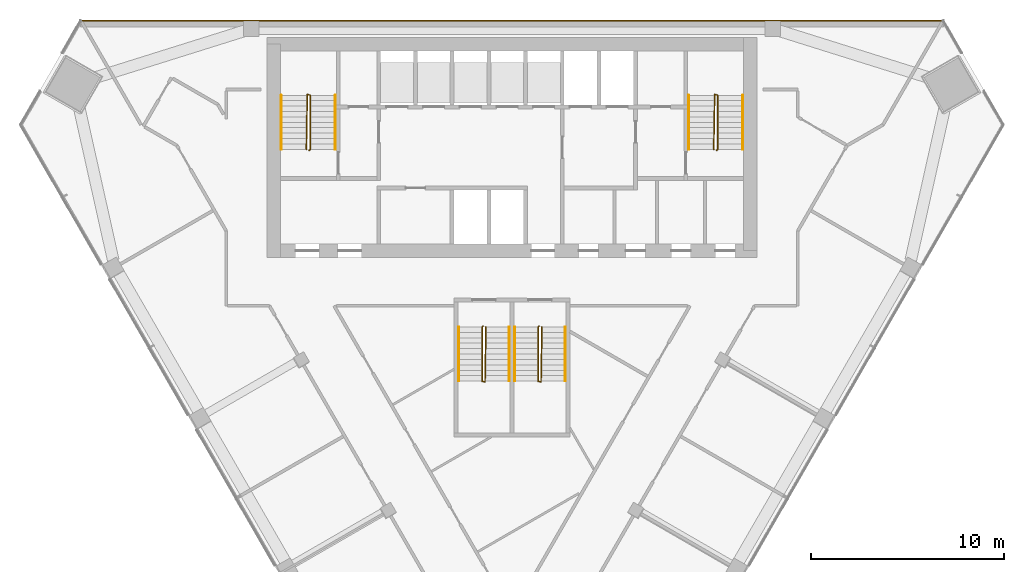
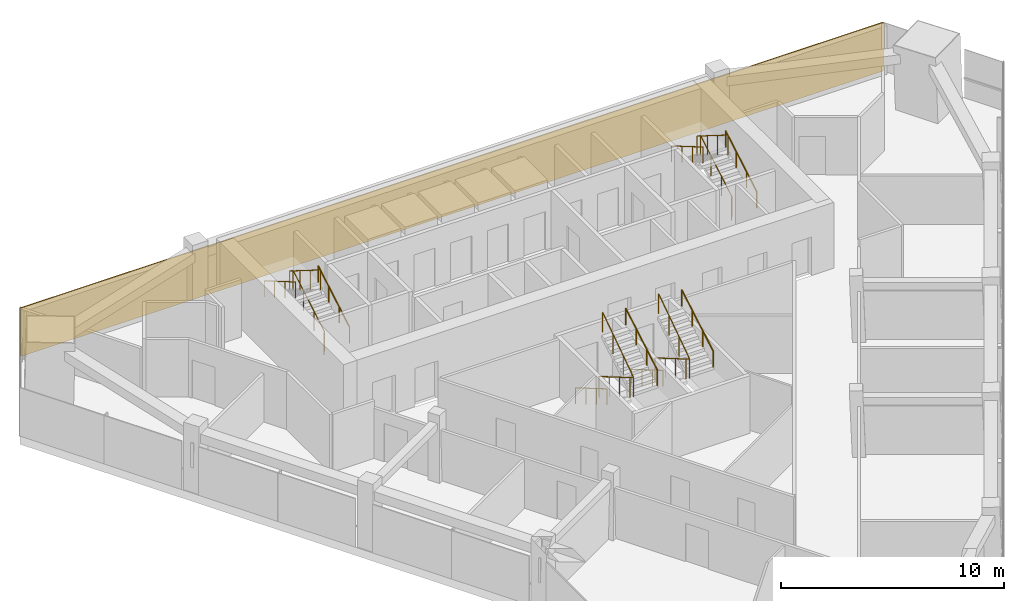
# One storey, part 12 of 13: 12 railings, 1 covering.
"""IFC4 building model written with IfcOpenShell, lengths in metres."""

import ifcopenshell
import ifcopenshell.guid

model = None  # the IFC model being written
_history = None  # IfcOwnerHistory: only IFC2X3 demands one
_inside = {}  # id of a spatial element -> (the spatial element, [elements in it])
_under = {}  # id of a project, library or spatial element -> (it, [spatial elements below it])
_declared = {}  # id of a project -> (the project, [libraries it declares])
_typed = {}  # id of a type object -> (the type object, [elements of that type])
_made_of = {}  # id of a material, layer set ... -> (it, [elements and type objects made of it])


def new_model(schema):
    """Start an empty IFC model of exactly this schema.

    Asked for "IFC4X3", IfcOpenShell would pick the latest addendum, in which some entities
    have other attributes; the version numbers below select the first issue.
    IFC2X3 requires an IfcOwnerHistory on every rooted entity: one is made here for all.
    """
    global model, _history
    if schema == "IFC4X3":
        model = ifcopenshell.file(schema_version=(4, 3, 0, 0))
    else:
        model = ifcopenshell.file(schema=schema)
    _inside.clear()
    _under.clear()
    _declared.clear()
    _typed.clear()
    _made_of.clear()
    _history = None
    if model.schema == "IFC2X3":
        org = make("IfcOrganization", Name="unknown")
        user = make(
            "IfcPersonAndOrganization",
            ThePerson=make("IfcPerson", FamilyName="unknown"),
            TheOrganization=org,
        )
        app = make(
            "IfcApplication",
            ApplicationDeveloper=org,
            Version="unknown",
            ApplicationFullName="unknown",
            ApplicationIdentifier="unknown",
        )
        _history = make(
            "IfcOwnerHistory",
            OwningUser=user,
            OwningApplication=app,
            ChangeAction="ADDED",
            CreationDate=0,
        )
    return model


def make(cls, **values):
    """One entity of the class cls with the attributes given. An attribute that is None is left unset."""
    return model.create_entity(
        cls, **{name: value for name, value in values.items() if value is not None}
    )


def rooted(cls, **values):
    """An entity with a GlobalId (a new one), such as an element, a storey or a relation."""
    return make(cls, GlobalId=ifcopenshell.guid.new(), OwnerHistory=_history, **values)


def si_unit(unit_type, name, prefix=None):
    """IfcSIUnit, for example si_unit("LENGTHUNIT", "METRE", prefix="MILLI")."""
    return make("IfcSIUnit", UnitType=unit_type, Prefix=prefix, Name=name)


def assignment(units):
    """IfcUnitAssignment: the units of a project."""
    return None if units is None else make("IfcUnitAssignment", Units=units)


def point(xyz):
    """IfcCartesianPoint."""
    return None if xyz is None else make("IfcCartesianPoint", Coordinates=xyz)


def direction(xyz):
    """IfcDirection."""
    return None if xyz is None else make("IfcDirection", DirectionRatios=xyz)


def frame(location, z_axis=None, x_axis=None):
    """IfcAxis2Placement3D, a coordinate frame: its origin and axes. An axis left out is left unset."""
    return make(
        "IfcAxis2Placement3D",
        Location=point(location),
        Axis=direction(z_axis),
        RefDirection=direction(x_axis),
    )


def frame_2d(location, x_axis=None):
    """IfcAxis2Placement2D, a coordinate frame in the plane: its origin and x axis."""
    return make(
        "IfcAxis2Placement2D", Location=point(location), RefDirection=direction(x_axis)
    )


def origin():
    """The frame at (0, 0, 0) with its axes left unset."""
    return frame((0.0, 0.0, 0.0))


def origin_2d():
    """The frame at (0, 0) in the plane with its x axis left unset."""
    return frame_2d((0.0, 0.0))


def place(relative_to, where):
    """IfcLocalPlacement: puts the frame where relative to a parent placement (None: the world)."""
    return make(
        "IfcLocalPlacement", PlacementRelTo=relative_to, RelativePlacement=where
    )


def context(
    kind, dimensions, precision=None, world=None, true_north=None, identifier=None
):
    """IfcGeometricRepresentationContext, for example the 3D "Model" context."""
    return make(
        "IfcGeometricRepresentationContext",
        ContextIdentifier=identifier,
        ContextType=kind,
        CoordinateSpaceDimension=dimensions,
        Precision=precision,
        WorldCoordinateSystem=world,
        TrueNorth=true_north,
    )


def subcontext(parent, identifier, kind, view, scale=None):
    """IfcGeometricRepresentationSubContext, for example "Body" below "Model"."""
    return make(
        "IfcGeometricRepresentationSubContext",
        ContextIdentifier=identifier,
        ContextType=kind,
        ParentContext=parent,
        TargetScale=scale,
        TargetView=view,
    )


def project(units=None, contexts=None):
    """IfcProject with its units and contexts."""
    return rooted(
        "IfcProject",
        Name="project",
        RepresentationContexts=contexts,
        UnitsInContext=assignment(units),
    )


def spatial(cls, under=None, at=None, **own):
    """A site, building, storey or space (cls), placed at a placement, below another one or the project."""
    s = rooted(cls, ObjectPlacement=at, **own)
    if under is not None:
        _under.setdefault(under.id(), (under, []))[1].append(s)
    return s


def profile(cls, at=None, kind="AREA", **sizes):
    """A parametric profile (cls). Its sizes go by their IFC names, for example OverallWidth=200.0."""
    return make(cls, ProfileType=kind, Position=at, **sizes)


def rectangle(**sizes):
    """IfcRectangleProfileDef."""
    return profile("IfcRectangleProfileDef", **sizes)


def circle(**sizes):
    """IfcCircleProfileDef."""
    return profile("IfcCircleProfileDef", **sizes)


def extrude(swept, where, along, depth):
    """IfcExtrudedAreaSolid: the profile swept, set in the frame where, extruded along a direction by depth."""
    return make(
        "IfcExtrudedAreaSolid",
        SweptArea=swept,
        Position=where,
        ExtrudedDirection=direction(along),
        Depth=depth,
    )


def shape(context_of_items, identifier, shape_type, items):
    """IfcShapeRepresentation: the items that make up one representation, for example the "Body"."""
    return make(
        "IfcShapeRepresentation",
        ContextOfItems=context_of_items,
        RepresentationIdentifier=identifier,
        RepresentationType=shape_type,
        Items=items,
    )


def material(Name=None, Category=None):
    """IfcMaterial."""
    return make("IfcMaterial", Name=Name, Category=Category)


def layer(
    of_material, thickness, ventilated=None, Name=None, Category=None, Priority=None
):
    """IfcMaterialLayer: one layer of a wall or slab, of a material (None: an air gap)."""
    return make(
        "IfcMaterialLayer",
        Material=of_material,
        LayerThickness=thickness,
        IsVentilated=ventilated,
        Name=Name,
        Category=Category,
        Priority=Priority,
    )


def layer_set(layers, Name=None):
    """IfcMaterialLayerSet."""
    return make("IfcMaterialLayerSet", MaterialLayers=layers, LayerSetName=Name)


def made_of(thing, what):
    """Note that an element or type object is made of a material, layer set ...; save() writes the relation."""
    if what is not None:
        _made_of.setdefault(what.id(), (what, []))[1].append(thing)
    return thing


def type_object(cls, material=None, **own):
    """A type object (cls), such as IfcWallType, which elements share."""
    return made_of(rooted(cls, **own), material)


def element(
    cls,
    number,
    at=None,
    inside=None,
    cuts=None,
    type_object=None,
    material=None,
    context=None,
    identifier="Body",
    shape_type=None,
    held_by="IfcProductDefinitionShape",
    body=None,
    shapes=None,
    **own,
):
    """One element of the class cls, such as IfcWall. Its Tag is "e" and its number.

    at: its placement. inside: the storey or other place that contains it. cuts: it is an
    opening in that element (IfcRelVoidsElement). A single representation is given by context,
    identifier, shape_type and body (its items); several are given by shapes. held_by: the class
    of the entity that holds the representations. save() writes the other relations.
    """
    e = rooted(cls, Tag="e%d" % number, ObjectPlacement=at, **own)
    if body is not None:
        shapes = [shape(context, identifier, shape_type, body)]
    if shapes is not None:
        e.Representation = make(held_by, Representations=shapes)
    if inside is not None:
        _inside.setdefault(inside.id(), (inside, []))[1].append(e)
    if cuts is not None:
        rooted(
            "IfcRelVoidsElement", RelatingBuildingElement=cuts, RelatedOpeningElement=e
        )
    if type_object is not None:
        _typed.setdefault(type_object.id(), (type_object, []))[1].append(e)
    return made_of(e, material)


def aggregate(whole, parts):
    """IfcRelAggregates: a whole, such as a stair, and the parts it consists of."""
    return rooted("IfcRelAggregates", RelatingObject=whole, RelatedObjects=parts)


def save(model, path):
    """Write the relations noted so far, then the file.

    IfcRelAggregates (storeys below a building ...), IfcRelContainedInSpatialStructure (elements
    in a storey), IfcRelDefinesByType, IfcRelAssociatesMaterial and IfcRelDeclares: one each for
    every whole, place, type object, material and project.
    """
    for whole, parts in _under.values():
        aggregate(whole, parts)
    for where, things in _inside.values():
        rooted(
            "IfcRelContainedInSpatialStructure",
            RelatedElements=things,
            RelatingStructure=where,
        )
    for kind, things in _typed.values():
        rooted("IfcRelDefinesByType", RelatedObjects=things, RelatingType=kind)
    for what, things in _made_of.values():
        rooted("IfcRelAssociatesMaterial", RelatedObjects=things, RelatingMaterial=what)
    for by, libraries in _declared.values():
        rooted("IfcRelDeclares", RelatingContext=by, RelatedDefinitions=libraries)
    model.write(path)


model = new_model("IFC4")

# Units and contexts
model_context = context("Model", 3, precision=1e-05, world=origin(), true_north=direction((0.0, 1.0)))
body_context = subcontext(model_context, "Body", "Model", "MODEL_VIEW")
ifc_project = project(units=[si_unit("LENGTHUNIT", "METRE"), si_unit("AREAUNIT", "SQUARE_METRE"), si_unit("VOLUMEUNIT", "CUBIC_METRE"), si_unit("PLANEANGLEUNIT", "RADIAN"), si_unit("MASSUNIT", "GRAM", prefix="KILO")], contexts=[model_context])

# Site, building, storey
site_placement = place(None, origin())
site = spatial("IfcSite", under=ifc_project, at=site_placement, CompositionType="ELEMENT")
building_placement = place(site_placement, origin())
building = spatial("IfcBuilding", under=site, at=building_placement, Name="Altiplano Prism Tower", CompositionType="ELEMENT")
storey_placement = place(building_placement, frame((0.0, 0.0, 201.60009765625)))
storey = spatial("IfcBuildingStorey", under=building, at=storey_placement, Name="L52", CompositionType="ELEMENT", Elevation=201.60009765625)

# Railings
ifc_material_1 = material(Name="Steel S355", Category="steel")
railing_type_1 = type_object("IfcRailingType", Name="Stair guard 1100", PredefinedType="GUARDRAIL", material=ifc_material_1)
railing_1_placement = place(storey_placement, frame((74.5, 98.25, 0.0)))
element("IfcRailing", 1, at=railing_1_placement, inside=storey, type_object=railing_type_1, Name="L52 ST1 stair guard 1", PredefinedType="GUARDRAIL", context=body_context, shape_type="SweptSolid", body=[
    extrude(circle(Radius=0.02392578125, at=origin_2d()), frame((0.0, 0.0, 1.076171875), z_axis=(0.280808744504, 0.280808744504, 0.917765164963), x_axis=(-0.707106781187, 0.707106781187, 0.0)), (0.0, 0.0, 1.0), 0.17822265625),
    extrude(circle(Radius=0.02392578125, at=origin_2d()), frame((0.050048828125, 0.050048828125, 1.23974609375), z_axis=(0.0, 0.863393664356, 0.504530851732), x_axis=(-1.0, 0.0, 0.0)), (0.0, 0.0, 1.0), 3.2431640625),
    extrude(circle(Radius=0.02392578125, at=origin_2d()), frame((0.050048828125, 2.85009765625, 2.8759765625), z_axis=(-0.949145278916, 0.314838433982, 0.0), x_axis=(-0.314838433982, -0.949145278916, 0.0)), (0.0, 0.0, 1.0), 0.158203125),
    extrude(circle(Radius=0.02392578125, at=origin_2d()), frame((-0.10009765625, 2.89990234375, 2.8759765625), z_axis=(-0.01477401265, -0.845377694409, 0.533964682676), x_axis=(0.999847325713, -0.01747355902, 0.0)), (0.0, 0.0, 1.0), 3.37109375),
    extrude(circle(Radius=0.02099609375, at=origin_2d()), origin(), (0.0, 0.0, 1.0), 1.052001953125),
    extrude(circle(Radius=0.02099609375, at=origin_2d()), frame((0.050048828125, 0.050048828125, 0.16357421875)), (0.0, 0.0, 1.0), 1.052001953125),
    extrude(circle(Radius=0.02099609375, at=origin_2d()), frame((0.050048828125, 0.9833984375, 0.708984375)), (0.0, 0.0, 1.0), 1.052001953125),
    extrude(circle(Radius=0.02099609375, at=origin_2d()), frame((0.050048828125, 1.916748046875, 1.25439453125)), (0.0, 0.0, 1.0), 1.052001953125),
    extrude(circle(Radius=0.02099609375, at=origin_2d()), frame((0.050048828125, 2.85009765625, 1.7998046875)), (0.0, 0.0, 1.0), 1.052001953125),
    extrude(circle(Radius=0.02099609375, at=origin_2d()), frame((-0.10009765625, 2.89990234375, 1.7998046875)), (0.0, 0.0, 1.0), 1.052001953125),
    extrude(circle(Radius=0.02099609375, at=origin_2d()), frame((-0.11669921875, 1.949951171875, 2.39990234375)), (0.0, 0.0, 1.0), 1.052001953125),
    extrude(circle(Radius=0.02099609375, at=origin_2d()), frame((-0.13330078125, 1.0, 2.999755859375)), (0.0, 0.0, 1.0), 1.052001953125),
    extrude(circle(Radius=0.02099609375, at=origin_2d()), frame((-0.14990234375, 0.050048828125, 3.599853515625)), (0.0, 0.0, 1.0), 1.052001953125),
])
railing_2_placement = place(storey_placement, frame((95.60009765625, 98.25, 0.0)))
element("IfcRailing", 2, at=railing_2_placement, inside=storey, type_object=railing_type_1, Name="L52 ST2 stair guard 1", PredefinedType="GUARDRAIL", context=body_context, shape_type="SweptSolid", body=[
    extrude(circle(Radius=0.02392578125, at=origin_2d()), frame((0.0, 0.0, 1.076171875), z_axis=(0.279546231943, 0.280916556609, 0.91811752648), x_axis=(-0.708833529934, 0.705375805398, 0.0)), (0.0, 0.0, 1.0), 0.17822265625),
    extrude(circle(Radius=0.02392578125, at=origin_2d()), frame((0.0498046875, 0.050048828125, 1.23974609375), z_axis=(0.0, 0.863393664356, 0.504530851732), x_axis=(-1.0, 0.0, 0.0)), (0.0, 0.0, 1.0), 3.2431640625),
    extrude(circle(Radius=0.02392578125, at=origin_2d()), frame((0.0498046875, 2.85009765625, 2.8759765625), z_axis=(-0.948991962702, 0.315300261223, 0.0), x_axis=(-0.315300261223, -0.948991962702, 0.0)), (0.0, 0.0, 1.0), 0.157958984375),
    extrude(circle(Radius=0.02392578125, at=origin_2d()), frame((-0.10009765625, 2.89990234375, 2.8759765625), z_axis=(-0.014846418356, -0.845376787675, 0.533964109957), x_axis=(0.999845825584, -0.017559187376, 0.0)), (0.0, 0.0, 1.0), 3.37109375),
    extrude(circle(Radius=0.02099609375, at=origin_2d()), origin(), (0.0, 0.0, 1.0), 1.052001953125),
    extrude(circle(Radius=0.02099609375, at=origin_2d()), frame((0.0498046875, 0.050048828125, 0.16357421875)), (0.0, 0.0, 1.0), 1.052001953125),
    extrude(circle(Radius=0.02099609375, at=origin_2d()), frame((0.0498046875, 0.9833984375, 0.708984375)), (0.0, 0.0, 1.0), 1.052001953125),
    extrude(circle(Radius=0.02099609375, at=origin_2d()), frame((0.0498046875, 1.916748046875, 1.25439453125)), (0.0, 0.0, 1.0), 1.052001953125),
    extrude(circle(Radius=0.02099609375, at=origin_2d()), frame((0.0498046875, 2.85009765625, 1.7998046875)), (0.0, 0.0, 1.0), 1.052001953125),
    extrude(circle(Radius=0.02099609375, at=origin_2d()), frame((-0.10009765625, 2.89990234375, 1.7998046875)), (0.0, 0.0, 1.0), 1.052001953125),
    extrude(circle(Radius=0.02099609375, at=origin_2d()), frame((-0.11669921875, 1.949951171875, 2.39990234375)), (0.0, 0.0, 1.0), 1.052001953125),
    extrude(circle(Radius=0.02099609375, at=origin_2d()), frame((-0.133544921875, 1.0, 2.999755859375)), (0.0, 0.0, 1.0), 1.052001953125),
    extrude(circle(Radius=0.02099609375, at=origin_2d()), frame((-0.150146484375, 0.050048828125, 3.599853515625)), (0.0, 0.0, 1.0), 1.052001953125),
])
railing_3_placement = place(storey_placement, frame((83.5, 89.14990234375, 0.0)))
element("IfcRailing", 3, at=railing_3_placement, inside=storey, type_object=railing_type_1, Name="L52 ST3A stair guard 1", PredefinedType="GUARDRAIL", context=body_context, shape_type="SweptSolid", body=[
    extrude(circle(Radius=0.02392578125, at=origin_2d()), frame((0.0, 0.0, 1.076171875), z_axis=(-0.280916556609, -0.279546231943, 0.91811752648), x_axis=(0.705375805398, -0.708833529934, 0.0)), (0.0, 0.0, 1.0), 0.17822265625),
    extrude(circle(Radius=0.02392578125, at=origin_2d()), frame((-0.050048828125, -0.0498046875, 1.23974609375), z_axis=(0.0, -0.863393664356, 0.504530851732), x_axis=(1.0, 0.0, 0.0)), (0.0, 0.0, 1.0), 3.2431640625),
    extrude(circle(Radius=0.02392578125, at=origin_2d()), frame((-0.050048828125, -2.849853515625, 2.8759765625), z_axis=(0.948683298051, -0.316227766017, 0.0), x_axis=(0.316227766017, 0.948683298051, 0.0)), (0.0, 0.0, 1.0), 0.158203125),
    extrude(circle(Radius=0.02392578125, at=origin_2d()), frame((0.10009765625, -2.89990234375, 2.8759765625), z_axis=(0.014773108175, 0.84539835705, 0.533931993021), x_axis=(-0.999847351862, 0.017472062685, 0.0)), (0.0, 0.0, 1.0), 3.371337890625),
    extrude(circle(Radius=0.02099609375, at=origin_2d()), origin(), (0.0, 0.0, 1.0), 1.052001953125),
    extrude(circle(Radius=0.02099609375, at=origin_2d()), frame((-0.050048828125, -0.0498046875, 0.16357421875)), (0.0, 0.0, 1.0), 1.052001953125),
    extrude(circle(Radius=0.02099609375, at=origin_2d()), frame((-0.050048828125, -0.983154296875, 0.708984375)), (0.0, 0.0, 1.0), 1.052001953125),
    extrude(circle(Radius=0.02099609375, at=origin_2d()), frame((-0.050048828125, -1.91650390625, 1.25439453125)), (0.0, 0.0, 1.0), 1.052001953125),
    extrude(circle(Radius=0.02099609375, at=origin_2d()), frame((-0.050048828125, -2.849853515625, 1.7998046875)), (0.0, 0.0, 1.0), 1.052001953125),
    extrude(circle(Radius=0.02099609375, at=origin_2d()), frame((0.10009765625, -2.89990234375, 1.7998046875)), (0.0, 0.0, 1.0), 1.052001953125),
    extrude(circle(Radius=0.02099609375, at=origin_2d()), frame((0.11669921875, -1.949951171875, 2.39990234375)), (0.0, 0.0, 1.0), 1.052001953125),
    extrude(circle(Radius=0.02099609375, at=origin_2d()), frame((0.13330078125, -0.999755859375, 2.999755859375)), (0.0, 0.0, 1.0), 1.052001953125),
    extrude(circle(Radius=0.02099609375, at=origin_2d()), frame((0.14990234375, -0.0498046875, 3.599853515625)), (0.0, 0.0, 1.0), 1.052001953125),
])
railing_4_placement = place(storey_placement, frame((86.39990234375, 89.14990234375, 0.0)))
element("IfcRailing", 4, at=railing_4_placement, inside=storey, type_object=railing_type_1, Name="L52 ST3B stair guard 1", PredefinedType="GUARDRAIL", context=body_context, shape_type="SweptSolid", body=[
    extrude(circle(Radius=0.02392578125, at=origin_2d()), frame((0.0, 0.0, 1.076171875), z_axis=(-0.279653641804, -0.279653641804, 0.918470294159), x_axis=(0.707106781187, -0.707106781187, 0.0)), (0.0, 0.0, 1.0), 0.177978515625),
    extrude(circle(Radius=0.02392578125, at=origin_2d()), frame((-0.0498046875, -0.0498046875, 1.23974609375), z_axis=(0.0, -0.863393664356, 0.504530851732), x_axis=(1.0, 0.0, 0.0)), (0.0, 0.0, 1.0), 3.2431640625),
    extrude(circle(Radius=0.02392578125, at=origin_2d()), frame((-0.0498046875, -2.849853515625, 2.8759765625), z_axis=(0.948528701346, -0.316691178788, 0.0), x_axis=(0.316691178788, 0.948528701346, 0.0)), (0.0, 0.0, 1.0), 0.157958984375),
    extrude(circle(Radius=0.02392578125, at=origin_2d()), frame((0.10009765625, -2.89990234375, 2.8759765625), z_axis=(0.014845509451, 0.845397450405, 0.533931420407), x_axis=(-0.999845851991, 0.017557683712, 0.0)), (0.0, 0.0, 1.0), 3.371337890625),
    extrude(circle(Radius=0.02099609375, at=origin_2d()), origin(), (0.0, 0.0, 1.0), 1.052001953125),
    extrude(circle(Radius=0.02099609375, at=origin_2d()), frame((-0.0498046875, -0.0498046875, 0.16357421875)), (0.0, 0.0, 1.0), 1.052001953125),
    extrude(circle(Radius=0.02099609375, at=origin_2d()), frame((-0.0498046875, -0.983154296875, 0.708984375)), (0.0, 0.0, 1.0), 1.052001953125),
    extrude(circle(Radius=0.02099609375, at=origin_2d()), frame((-0.0498046875, -1.91650390625, 1.25439453125)), (0.0, 0.0, 1.0), 1.052001953125),
    extrude(circle(Radius=0.02099609375, at=origin_2d()), frame((-0.0498046875, -2.849853515625, 1.7998046875)), (0.0, 0.0, 1.0), 1.052001953125),
    extrude(circle(Radius=0.02099609375, at=origin_2d()), frame((0.10009765625, -2.89990234375, 1.7998046875)), (0.0, 0.0, 1.0), 1.052001953125),
    extrude(circle(Radius=0.02099609375, at=origin_2d()), frame((0.11669921875, -1.949951171875, 2.39990234375)), (0.0, 0.0, 1.0), 1.052001953125),
    extrude(circle(Radius=0.02099609375, at=origin_2d()), frame((0.133544921875, -0.999755859375, 2.999755859375)), (0.0, 0.0, 1.0), 1.052001953125),
    extrude(circle(Radius=0.02099609375, at=origin_2d()), frame((0.150146484375, -0.0498046875, 3.599853515625)), (0.0, 0.0, 1.0), 1.052001953125),
])
railing_type_2 = type_object("IfcRailingType", Name="Stair handrail 900", PredefinedType="HANDRAIL", material=ifc_material_1)
railing_5_placement = place(storey_placement, frame((75.85009765625, 98.300048828125, 0.16357421875)))
element("IfcRailing", 5, at=railing_5_placement, inside=storey, type_object=railing_type_2, Name="L52 ST1 stair handrail 1", PredefinedType="HANDRAIL", context=body_context, shape_type="SweptSolid", body=[
    extrude(circle(Radius=0.02392578125, at=origin_2d()), frame((0.0, 0.0, 0.8759765625), z_axis=(0.0, 0.863393664356, 0.504530851732), x_axis=(-1.0, 0.0, 0.0)), (0.0, 0.0, 1.0), 3.2431640625),
    extrude(circle(Radius=0.02099609375, at=origin_2d()), origin(), (0.0, 0.0, 1.0), 0.851806640625),
    extrude(circle(Radius=0.02099609375, at=origin_2d()), frame((0.0, 0.933349609375, 0.54541015625)), (0.0, 0.0, 1.0), 0.851806640625),
    extrude(circle(Radius=0.02099609375, at=origin_2d()), frame((0.0, 1.86669921875, 1.0908203125)), (0.0, 0.0, 1.0), 0.851806640625),
    extrude(circle(Radius=0.02099609375, at=origin_2d()), frame((0.0, 2.800048828125, 1.63623046875)), (0.0, 0.0, 1.0), 0.851806640625),
])
railing_6_placement = place(storey_placement, frame((73.050048828125, 101.10009765625, 1.963623046875)))
element("IfcRailing", 6, at=railing_6_placement, inside=storey, type_object=railing_type_2, Name="L52 ST1 stair handrail 2", PredefinedType="HANDRAIL", context=body_context, shape_type="SweptSolid", body=[
    extrude(circle(Radius=0.02392578125, at=origin_2d()), frame((0.0, 0.0, 0.8759765625), z_axis=(0.0, -0.863393664356, 0.504530851732), x_axis=(1.0, 0.0, 0.0)), (0.0, 0.0, 1.0), 3.2431640625),
    extrude(circle(Radius=0.02099609375, at=origin_2d()), origin(), (0.0, 0.0, 1.0), 0.851806640625),
    extrude(circle(Radius=0.02099609375, at=origin_2d()), frame((0.0, -0.933349609375, 0.54541015625)), (0.0, 0.0, 1.0), 0.851806640625),
    extrude(circle(Radius=0.02099609375, at=origin_2d()), frame((0.0, -1.86669921875, 1.0908203125)), (0.0, 0.0, 1.0), 0.851806640625),
    extrude(circle(Radius=0.02099609375, at=origin_2d()), frame((0.0, -2.800048828125, 1.63623046875)), (0.0, 0.0, 1.0), 0.851806640625),
])
railing_7_placement = place(storey_placement, frame((96.949951171875, 98.300048828125, 0.16357421875)))
element("IfcRailing", 7, at=railing_7_placement, inside=storey, type_object=railing_type_2, Name="L52 ST2 stair handrail 1", PredefinedType="HANDRAIL", context=body_context, shape_type="SweptSolid", body=[
    extrude(circle(Radius=0.02392578125, at=origin_2d()), frame((0.0, 0.0, 0.8759765625), z_axis=(0.0, 0.863393664356, 0.504530851732), x_axis=(-1.0, 0.0, 0.0)), (0.0, 0.0, 1.0), 3.2431640625),
    extrude(circle(Radius=0.02099609375, at=origin_2d()), origin(), (0.0, 0.0, 1.0), 0.851806640625),
    extrude(circle(Radius=0.02099609375, at=origin_2d()), frame((0.0, 0.933349609375, 0.54541015625)), (0.0, 0.0, 1.0), 0.851806640625),
    extrude(circle(Radius=0.02099609375, at=origin_2d()), frame((0.0, 1.86669921875, 1.0908203125)), (0.0, 0.0, 1.0), 0.851806640625),
    extrude(circle(Radius=0.02099609375, at=origin_2d()), frame((0.0, 2.800048828125, 1.63623046875)), (0.0, 0.0, 1.0), 0.851806640625),
])
for number, where, name in (
    (8, (94.14990234375, 101.10009765625, 1.963623046875), "L52 ST2 stair handrail 2"),
    (9, (82.25, 89.10009765625, 0.16357421875), "L52 ST3A stair handrail 1"),
):
    element("IfcRailing", number, at=place(storey_placement, frame(where)), inside=storey, type_object=railing_type_2, Name=name, PredefinedType="HANDRAIL", context=body_context, shape_type="SweptSolid", body=[
        extrude(circle(Radius=0.02392578125, at=origin_2d()), frame((0.0, 0.0, 0.8759765625), z_axis=(0.0, -0.863393664356, 0.504530851732), x_axis=(1.0, 0.0, 0.0)), (0.0, 0.0, 1.0), 3.2431640625),
        extrude(circle(Radius=0.02099609375, at=origin_2d()), origin(), (0.0, 0.0, 1.0), 0.851806640625),
        extrude(circle(Radius=0.02099609375, at=origin_2d()), frame((0.0, -0.933349609375, 0.54541015625)), (0.0, 0.0, 1.0), 0.851806640625),
        extrude(circle(Radius=0.02099609375, at=origin_2d()), frame((0.0, -1.86669921875, 1.0908203125)), (0.0, 0.0, 1.0), 0.851806640625),
        extrude(circle(Radius=0.02099609375, at=origin_2d()), frame((0.0, -2.800048828125, 1.63623046875)), (0.0, 0.0, 1.0), 0.851806640625),
    ])
railing_8_placement = place(storey_placement, frame((84.85009765625, 86.300048828125, 1.963623046875)))
element("IfcRailing", 10, at=railing_8_placement, inside=storey, type_object=railing_type_2, Name="L52 ST3A stair handrail 2", PredefinedType="HANDRAIL", context=body_context, shape_type="SweptSolid", body=[
    extrude(circle(Radius=0.02392578125, at=origin_2d()), frame((0.0, 0.0, 0.8759765625), z_axis=(0.0, 0.863393664356, 0.504530851732), x_axis=(-1.0, 0.0, 0.0)), (0.0, 0.0, 1.0), 3.2431640625),
    extrude(circle(Radius=0.02099609375, at=origin_2d()), origin(), (0.0, 0.0, 1.0), 0.851806640625),
    extrude(circle(Radius=0.02099609375, at=origin_2d()), frame((0.0, 0.933349609375, 0.54541015625)), (0.0, 0.0, 1.0), 0.851806640625),
    extrude(circle(Radius=0.02099609375, at=origin_2d()), frame((0.0, 1.86669921875, 1.0908203125)), (0.0, 0.0, 1.0), 0.851806640625),
    extrude(circle(Radius=0.02099609375, at=origin_2d()), frame((0.0, 2.800048828125, 1.63623046875)), (0.0, 0.0, 1.0), 0.851806640625),
])
railing_9_placement = place(storey_placement, frame((85.14990234375, 89.10009765625, 0.16357421875)))
element("IfcRailing", 11, at=railing_9_placement, inside=storey, type_object=railing_type_2, Name="L52 ST3B stair handrail 1", PredefinedType="HANDRAIL", context=body_context, shape_type="SweptSolid", body=[
    extrude(circle(Radius=0.02392578125, at=origin_2d()), frame((0.0, 0.0, 0.8759765625), z_axis=(0.0, -0.863393664356, 0.504530851732), x_axis=(1.0, 0.0, 0.0)), (0.0, 0.0, 1.0), 3.2431640625),
    extrude(circle(Radius=0.02099609375, at=origin_2d()), origin(), (0.0, 0.0, 1.0), 0.851806640625),
    extrude(circle(Radius=0.02099609375, at=origin_2d()), frame((0.0, -0.933349609375, 0.54541015625)), (0.0, 0.0, 1.0), 0.851806640625),
    extrude(circle(Radius=0.02099609375, at=origin_2d()), frame((0.0, -1.86669921875, 1.0908203125)), (0.0, 0.0, 1.0), 0.851806640625),
    extrude(circle(Radius=0.02099609375, at=origin_2d()), frame((0.0, -2.800048828125, 1.63623046875)), (0.0, 0.0, 1.0), 0.851806640625),
])
railing_10_placement = place(storey_placement, frame((87.75, 86.300048828125, 1.963623046875)))
element("IfcRailing", 12, at=railing_10_placement, inside=storey, type_object=railing_type_2, Name="L52 ST3B stair handrail 2", PredefinedType="HANDRAIL", context=body_context, shape_type="SweptSolid", body=[
    extrude(circle(Radius=0.02392578125, at=origin_2d()), frame((0.0, 0.0, 0.8759765625), z_axis=(0.0, 0.863393664356, 0.504530851732), x_axis=(-1.0, 0.0, 0.0)), (0.0, 0.0, 1.0), 3.2431640625),
    extrude(circle(Radius=0.02099609375, at=origin_2d()), origin(), (0.0, 0.0, 1.0), 0.851806640625),
    extrude(circle(Radius=0.02099609375, at=origin_2d()), frame((0.0, 0.933349609375, 0.54541015625)), (0.0, 0.0, 1.0), 0.851806640625),
    extrude(circle(Radius=0.02099609375, at=origin_2d()), frame((0.0, 1.86669921875, 1.0908203125)), (0.0, 0.0, 1.0), 0.851806640625),
    extrude(circle(Radius=0.02099609375, at=origin_2d()), frame((0.0, 2.800048828125, 1.63623046875)), (0.0, 0.0, 1.0), 0.851806640625),
])

# Covering
ifc_material_2 = material(Name="Warm limestone cast stone", Category="masonry")
ifc_layer = layer(ifc_material_2, 0.06005859375)
ifc_layer_set = layer_set([ifc_layer], Name="Warm limestone cast stone")
covering_type = type_object("IfcCoveringType", Name="Stone cladding 60", PredefinedType="CLADDING", material=ifc_layer_set)
covering_placement = place(storey_placement, frame((62.65283203125, 104.969970703125, 0.0), z_axis=(0.0, 0.0, 1.0), x_axis=(1.0, 0.0, 0.0)))
element("IfcCovering", 13, at=covering_placement, inside=storey, type_object=covering_type, Name="Stone cladding north face L52", PredefinedType="CLADDING", context=body_context, shape_type="SweptSolid", body=[
    extrude(rectangle(XDim=44.6943359375, YDim=0.06005859375, at=frame_2d((22.34716796875, 0.0))), origin(), (0.0, 0.0, 1.0), 2.64990234375),
])

save(model, "model.ifc")
